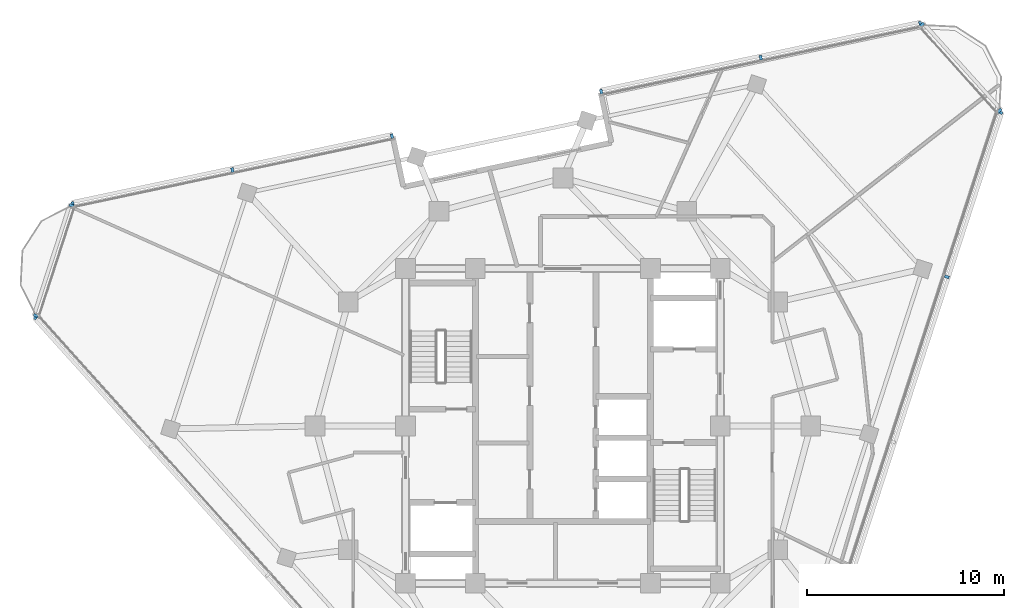
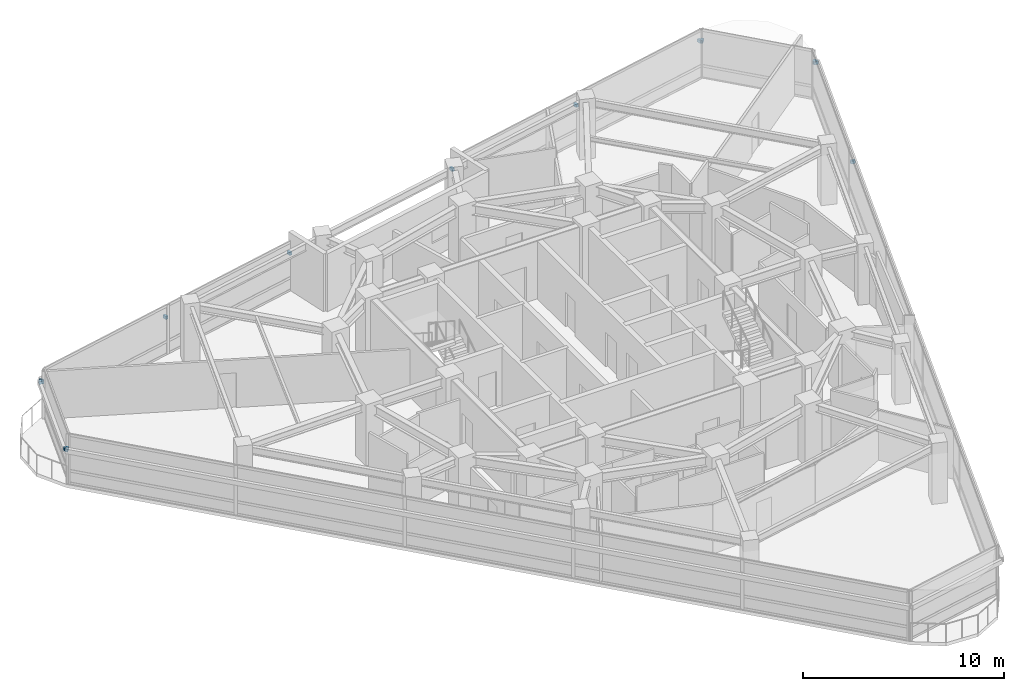
# One storey, part 11 of 15: 13 discrete accessories.
"""IFC4 building model written with IfcOpenShell, lengths in metres."""

from ifc_helpers import new_model, si_unit, direction, frame, origin, origin_2d, place, context, subcontext, project, spatial, rectangle, extrude, material, type_object, element, save


model = new_model("IFC4")

# Units and contexts
model_context = context("Model", 3, precision=1e-05, world=origin(), true_north=direction((0.0, 1.0)))
body_context = subcontext(model_context, "Body", "Model", "MODEL_VIEW")
ifc_project = project(units=[si_unit("LENGTHUNIT", "METRE"), si_unit("AREAUNIT", "SQUARE_METRE"), si_unit("VOLUMEUNIT", "CUBIC_METRE"), si_unit("PLANEANGLEUNIT", "RADIAN"), si_unit("MASSUNIT", "GRAM", prefix="KILO")], contexts=[model_context])

# Site, building, storey
site_placement = place(None, origin())
site = spatial("IfcSite", under=ifc_project, at=site_placement, CompositionType="ELEMENT")
building_placement = place(site_placement, origin())
building = spatial("IfcBuilding", under=site, at=building_placement, Name="Terralouvre Media Tower", CompositionType="ELEMENT")
storey_placement = place(building_placement, frame((0.0, 0.0, 294.300048828125)))
storey = spatial("IfcBuildingStorey", under=building, at=storey_placement, Name="L76", CompositionType="ELEMENT", Elevation=294.300048828125)

# Discrete accessories
ifc_material = material(Name="Anodised extruded aluminium 6063-T6", Category="aluminium")
discrete_accessory_type = type_object("IfcDiscreteAccessoryType", Name="Mullion Stand-Off Baguette Fixing Bracket BK-01", PredefinedType="BRACKET", material=ifc_material)
for number, where, z_axis, x_axis, name in (
    (1, (19.5126953125, 7.5771484375, 2.07421875), (0.0, 0.0, 1.0), (0.309017021946, 0.951056507337, 0.0), "CW-L76-F0 Baguette Outrigger Bracket 1.05"),
    (2, (22.22802734375, 15.93359375, 2.07421875), (0.0, 0.0, 1.0), (0.309017021946, 0.951056507337, 0.0), "CW-L76-F0 Baguette Outrigger Bracket 1.06"),
    (3, (18.169677734375, 20.440673828125, 2.07421875), (0.0, 0.0, 1.0), (-0.978147588229, -0.207911749648, 0.0), "CW-L76-F1L Baguette Outrigger Bracket 1.01"),
    (4, (10.058349609375, 18.716552734375, 2.07421875), (0.0, 0.0, 1.0), (-0.978147588229, -0.207911749648, 0.0), "CW-L76-F1L Baguette Outrigger Bracket 1.02"),
    (5, (1.947021484375, 16.992431640625, 2.07421875), (0.0, 0.0, 1.0), (-0.978147588229, -0.207911749648, 0.0), "CW-L76-F1L Baguette Outrigger Bracket 1.03"),
    (6, (-8.690185546875, 14.7314453125, 2.07421875), (0.0, 0.0, 1.0), (-0.978147684351, -0.20791129743, 0.0), "CW-L76-F1R Baguette Outrigger Bracket 1.01"),
    (7, (-16.801513671875, 13.00732421875, 2.07421875), (0.0, 0.0, 1.0), (-0.978147684351, -0.20791129743, 0.0), "CW-L76-F1R Baguette Outrigger Bracket 1.02"),
    (8, (-24.912841796875, 11.283203125, 2.07421875), (0.0, 0.0, 1.0), (-0.978147684351, -0.20791129743, 0.0), "CW-L76-F1R Baguette Outrigger Bracket 1.03"),
    (9, (-26.787109375, 5.51513671875, 2.07421875), (0.0, 0.0, 1.0), (0.669130573531, -0.743144855036, 0.0), "CW-L76-F2 Baguette Outrigger Bracket 1.01"),
    (10, (22.19140625, 16.022705078125, 2.07421875), (0.0, 0.0, 1.0), (-0.669130231192, 0.743145163279, 0.0), "CW-L76-C1 Baguette Outrigger Bracket 1.01"),
    (11, (18.254638671875, 20.39501953125, 2.07421875), (0.0, 0.0, 1.0), (-0.669130231192, 0.743145163279, 0.0), "CW-L76-C1 Baguette Outrigger Bracket 1.02"),
    (12, (-24.9716796875, 11.206787109375, 2.07421875), (0.0, 0.0, 1.0), (-0.30901654693, -0.951056661679, 0.0), "CW-L76-C2 Baguette Outrigger Bracket 1.01"),
    (13, (-26.789794921875, 5.611572265625, 2.07421875), (0.0, 0.0, 1.0), (-0.30901654693, -0.951056661679, 0.0), "CW-L76-C2 Baguette Outrigger Bracket 1.02"),
):
    element("IfcDiscreteAccessory", number, at=place(storey_placement, frame(where, z_axis=z_axis, x_axis=x_axis)), inside=storey, type_object=discrete_accessory_type, Name=name, PredefinedType="BRACKET", context=body_context, shape_type="SweptSolid", body=[
        extrude(rectangle(XDim=0.139892578125, YDim=0.239990234375, at=origin_2d()), origin(), (0.0, 0.0, 1.0), 0.179931640625),
    ])

save(model, "model.ifc")
